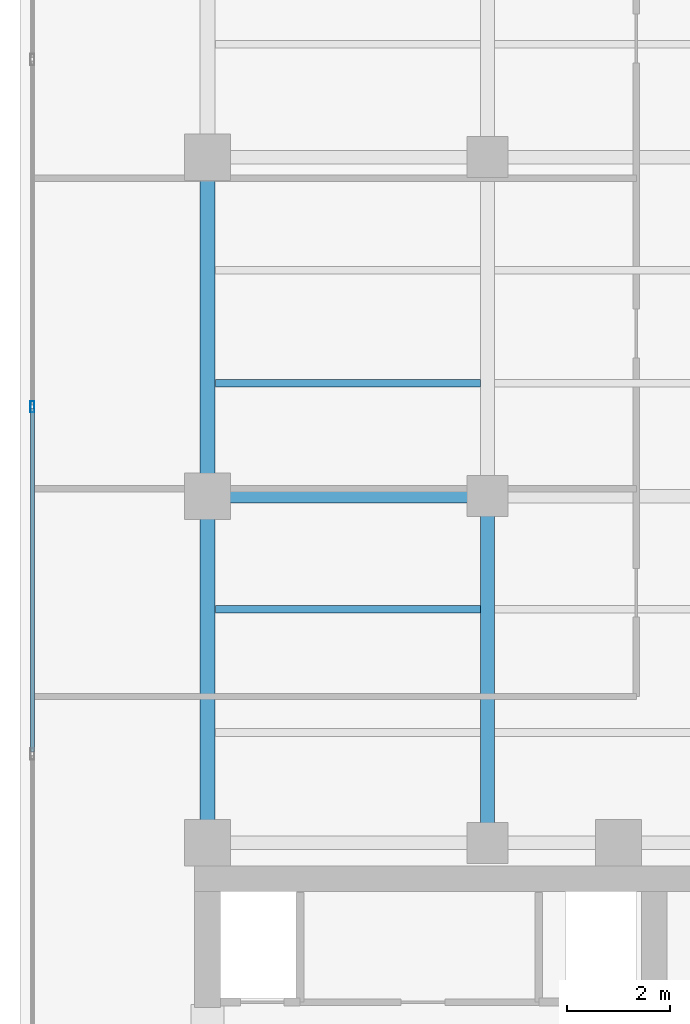
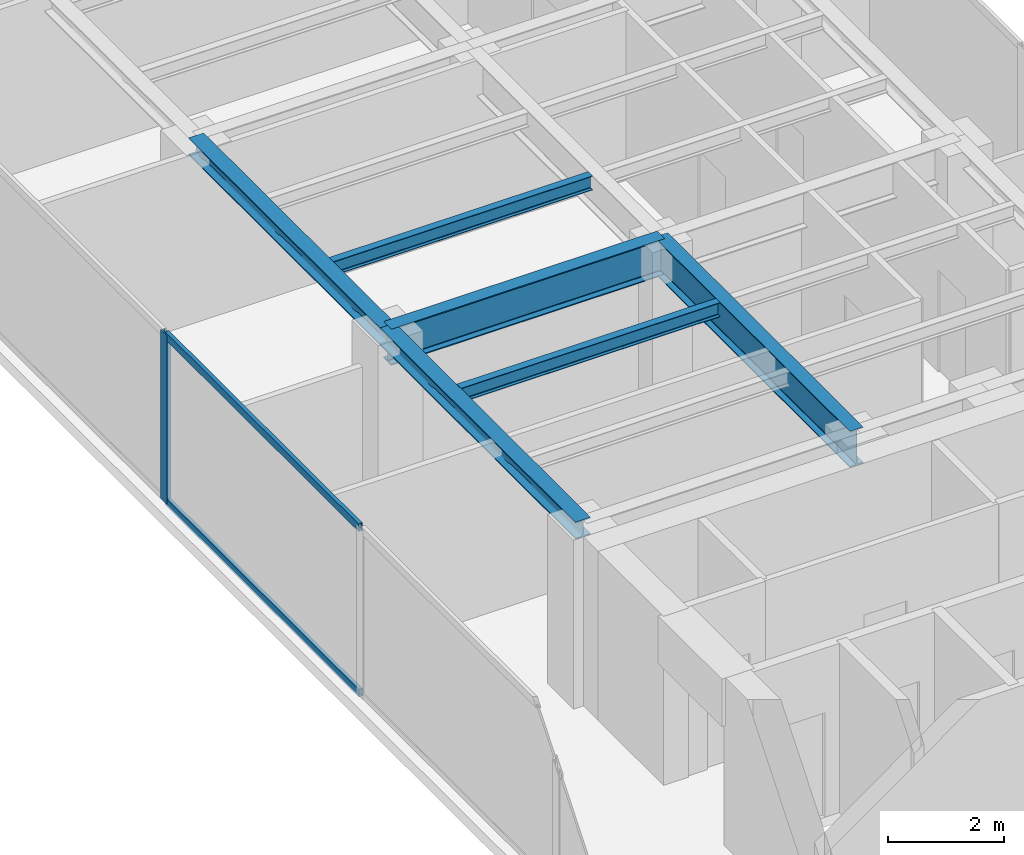
# One storey, part 8 of 22: 6 beams, 3 members, 1 element without a shape of its own.
"""IFC4 building model written with IfcOpenShell, lengths in metres."""

from ifc_helpers import new_model, si_unit, direction, frame, origin, origin_with_axes, origin_2d, place, context, subcontext, project, spatial, hollow_rectangle, i_section, extrude, source, transform, mapped, material, layer, layer_set, material_profile, profile_set, type_object, element, aggregate, save


model = new_model("IFC4")

# Units and contexts
model_context = context("Model", 3, precision=1e-05, world=origin(), true_north=direction((0.0, 1.0)))
body_context = subcontext(model_context, "Body", "Model", "MODEL_VIEW")
ifc_project = project(units=[si_unit("LENGTHUNIT", "METRE"), si_unit("AREAUNIT", "SQUARE_METRE"), si_unit("VOLUMEUNIT", "CUBIC_METRE"), si_unit("PLANEANGLEUNIT", "RADIAN"), si_unit("MASSUNIT", "GRAM", prefix="KILO")], contexts=[model_context])

# Site, building, storey
site_placement = place(None, origin())
site = spatial("IfcSite", under=ifc_project, at=site_placement, CompositionType="ELEMENT")
building_placement = place(site_placement, origin())
building = spatial("IfcBuilding", under=site, at=building_placement, Name="Kolvaren Waterfront Exchange", CompositionType="ELEMENT")
storey_placement = place(building_placement, frame((0.0, 0.0, 266.60009765625)))
storey = spatial("IfcBuildingStorey", under=building, at=storey_placement, Name="L68", CompositionType="ELEMENT", Elevation=266.60009765625)

# Beams
ifc_material_1 = material(Name="Steel S355", Category="steel")
ifc_material_profile_1 = material_profile(ifc_material_1, i_section(OverallWidth=0.300048828125, OverallDepth=0.360107421875, WebThickness=0.012451171875, FlangeThickness=0.0224609375, FilletRadius=0.027099609375, at=origin_2d()), Name="HEB360")
ifc_profile_set_1 = profile_set([ifc_material_profile_1], Name="Steel S355")
beam_type_1 = type_object("IfcBeamType", Name="STR-BM-HEB360", PredefinedType="SPANDREL", material=ifc_profile_set_1)
beam_1_placement = place(storey_placement, frame((7.449951171875, 24.449951171875, 3.3798828125), z_axis=(0.0, 1.0, 0.0), x_axis=(-1.0, 0.0, 0.0)))
element("IfcBeam", 1, at=beam_1_placement, inside=storey, type_object=beam_type_1, Name="L68 north-arm edge beam 1", PredefinedType="SPANDREL", context=body_context, shape_type="SweptSolid", body=[
    extrude(i_section(OverallWidth=0.300048828125, OverallDepth=0.360107421875, WebThickness=0.012451171875, FlangeThickness=0.0224609375, FilletRadius=0.027099609375, at=origin_2d()), origin(), (0.0, 0.0, 1.0), 6.75),
])
beam_2_placement = place(storey_placement, frame((7.449951171875, 31.199951171875, 3.3798828125), z_axis=(0.0, 1.0, 0.0), x_axis=(-1.0, 0.0, 0.0)))
element("IfcBeam", 2, at=beam_2_placement, inside=storey, type_object=beam_type_1, Name="L68 north-arm edge beam 2", PredefinedType="SPANDREL", context=body_context, shape_type="SweptSolid", body=[
    extrude(i_section(OverallWidth=0.300048828125, OverallDepth=0.360107421875, WebThickness=0.012451171875, FlangeThickness=0.0224609375, FilletRadius=0.027099609375, at=origin_2d()), origin(), (0.0, 0.0, 1.0), 6.60009765625),
])
ifc_material_profile_2 = material_profile(ifc_material_1, i_section(OverallWidth=0.14990234375, OverallDepth=0.300048828125, WebThickness=0.007080078125, FlangeThickness=0.0107421875, FilletRadius=0.014892578125, at=origin_2d()), Name="IPE300")
ifc_profile_set_2 = profile_set([ifc_material_profile_2], Name="Steel S355")
beam_type_2 = type_object("IfcBeamType", Name="STR-BM-IPE300", PredefinedType="JOIST", material=ifc_profile_set_2)
for number, where, z_axis, x_axis, name in (
    (3, (7.60205078125, 29.0, 3.409912109375), (1.0, 0.0, 0.0), (0.0, 1.0, 0.0), "L68 north-arm composite joist 2A"),
    (4, (7.60205078125, 33.39990234375, 3.409912109375), (1.0, 0.0, 0.0), (0.0, 1.0, 0.0), "L68 north-arm composite joist 3A"),
):
    element("IfcBeam", number, at=place(storey_placement, frame(where, z_axis=z_axis, x_axis=x_axis)), inside=storey, type_object=beam_type_2, Name=name, PredefinedType="JOIST", context=body_context, shape_type="SweptSolid", body=[
        extrude(i_section(OverallWidth=0.14990234375, OverallDepth=0.300048828125, WebThickness=0.007080078125, FlangeThickness=0.0107421875, FilletRadius=0.014892578125, at=origin_2d()), origin(), (0.0, 0.0, 1.0), 5.162353515625),
    ])
ifc_material_profile_3 = material_profile(ifc_material_1, i_section(OverallWidth=0.26708984375, OverallDepth=0.761962890625, WebThickness=0.014404296875, FlangeThickness=0.021484375, FilletRadius=0.01708984375, at=origin_2d()), Name="IPE750x173")
ifc_profile_set_3 = profile_set([ifc_material_profile_3], Name="Steel S355")
beam_type_3 = type_object("IfcBeamType", Name="STR-BM-IPE750", PredefinedType="BEAM", material=ifc_profile_set_3)
beam_3_placement = place(storey_placement, frame((7.449951171875, 31.199951171875, 3.178955078125), z_axis=(1.0, 0.0, 0.0), x_axis=(0.0, 1.0, 0.0)))
element("IfcBeam", 5, at=beam_3_placement, inside=storey, type_object=beam_type_3, Name="L68 north-arm girder 2A", PredefinedType="BEAM", context=body_context, shape_type="SweptSolid", body=[
    extrude(i_section(OverallWidth=0.26708984375, OverallDepth=0.761962890625, WebThickness=0.014404296875, FlangeThickness=0.021484375, FilletRadius=0.01708984375, at=origin_2d()), origin(), (0.0, 0.0, 1.0), 5.449951171875),
])
beam_4_placement = place(storey_placement, frame((12.89990234375, 24.449951171875, 3.178955078125), z_axis=(0.0, 1.0, 0.0), x_axis=(-1.0, 0.0, 0.0)))
element("IfcBeam", 6, at=beam_4_placement, inside=storey, type_object=beam_type_3, Name="L68 north-arm edge beam 1", PredefinedType="BEAM", context=body_context, shape_type="SweptSolid", body=[
    extrude(i_section(OverallWidth=0.26708984375, OverallDepth=0.761962890625, WebThickness=0.014404296875, FlangeThickness=0.021484375, FilletRadius=0.01708984375, at=origin_2d()), origin(), (0.0, 0.0, 1.0), 6.75),
])

# Curtain wall, members
ifc_material_2 = material(Name="Anodised aluminium 6063-T6", Category="aluminium")
ifc_layer = layer(ifc_material_2, 0.219970703125, Name="Anodised aluminium 6063-T6")
ifc_layer_set = layer_set([ifc_layer], Name="Anodised aluminium 6063-T6")
curtain_wall_type = type_object("IfcCurtainWallType", Name="ARC-CW-SYS2", PredefinedType="USERDEFINED", material=ifc_layer_set)
curtain_wall_placement = place(storey_placement, origin())
curtain_wall = element("IfcCurtainWall", 7, at=curtain_wall_placement, inside=storey, type_object=curtain_wall_type, Name="L68 stick curtain wall CW2 (CW-L68-W)", ObjectType="STICK CURTAIN WALL", PredefinedType="USERDEFINED")
ifc_material_profile_4 = material_profile(ifc_material_2, hollow_rectangle(XDim=0.080078125, YDim=0.219970703125, WallThickness=0.0048828125, at=origin_2d()), Name="ALU-MUL-220x80x5")
ifc_profile_set_4 = profile_set([ifc_material_profile_4], Name="Anodised aluminium 6063-T6")
member_type_1 = type_object("IfcMemberType", Name="ARC-CWM-220", PredefinedType="MULLION", material=ifc_profile_set_4)
shared_shape_1 = source(origin_with_axes(), body_context, "Body", "SweptSolid", [
    extrude(hollow_rectangle(XDim=0.080078125, YDim=0.219970703125, WallThickness=0.0048828125, at=origin_2d()), origin(), (0.0, 0.0, 1.0), 3.559814453125),
])
member_1_placement = place(storey_placement, frame((4.0400390625, 32.942138671875, 0.0), z_axis=(0.0, 0.0, 1.0), x_axis=(-1.0, 0.0, 0.0)))
member_1 = element("IfcMember", 8, at=member_1_placement, type_object=member_type_1, Name="CW2 mullion 5", PredefinedType="MULLION", context=body_context, shape_type="MappedRepresentation", body=[
    mapped(shared_shape_1, transform((0.0, 0.0, 0.0), x_axis=(1.0, 0.0, 0.0), y_axis=(0.0, 1.0, 0.0), z_axis=(0.0, 0.0, 1.0), scale=1.0)),
])
ifc_material_profile_5 = material_profile(ifc_material_2, hollow_rectangle(XDim=0.074951171875, YDim=0.159912109375, WallThickness=0.00439453125, at=origin_2d()), Name="ALU-TRN-160x75x4.5")
ifc_profile_set_5 = profile_set([ifc_material_profile_5], Name="Anodised aluminium 6063-T6")
member_type_2 = type_object("IfcMemberType", Name="ARC-CWT-160", PredefinedType="USERDEFINED", material=ifc_profile_set_5)
shared_shape_2 = source(origin_with_axes(), body_context, "Body", "SweptSolid", [
    extrude(hollow_rectangle(XDim=0.074951171875, YDim=0.159912109375, WallThickness=0.00439453125, at=origin_2d()), origin(), (0.0, 0.0, 1.0), 6.680419921875),
])
member_2_placement = place(storey_placement, frame((4.0400390625, 26.2216796875, 0.037353515625), z_axis=(0.0, 1.0, 0.0), x_axis=(-1.0, 0.0, 0.0)))
member_2 = element("IfcMember", 9, at=member_2_placement, type_object=member_type_2, Name="CW2 transom 4.1", ObjectType="TRANSOM", PredefinedType="USERDEFINED", context=body_context, shape_type="MappedRepresentation", body=[
    mapped(shared_shape_2, transform((0.0, 0.0, 0.0), x_axis=(1.0, 0.0, 0.0), y_axis=(0.0, 1.0, 0.0), z_axis=(0.0, 0.0, 1.0), scale=1.0)),
])
member_3_placement = place(storey_placement, frame((4.0400390625, 26.2216796875, 3.5224609375), z_axis=(0.0, 1.0, 0.0), x_axis=(-1.0, 0.0, 0.0)))
member_3 = element("IfcMember", 10, at=member_3_placement, type_object=member_type_2, Name="CW2 transom 4.2", ObjectType="TRANSOM", PredefinedType="USERDEFINED", context=body_context, shape_type="MappedRepresentation", body=[
    mapped(shared_shape_2, transform((0.0, 0.0, 0.0), x_axis=(1.0, 0.0, 0.0), y_axis=(0.0, 1.0, 0.0), z_axis=(0.0, 0.0, 1.0), scale=1.0)),
])
aggregate(curtain_wall, [member_1, member_2, member_3])

save(model, "model.ifc")
